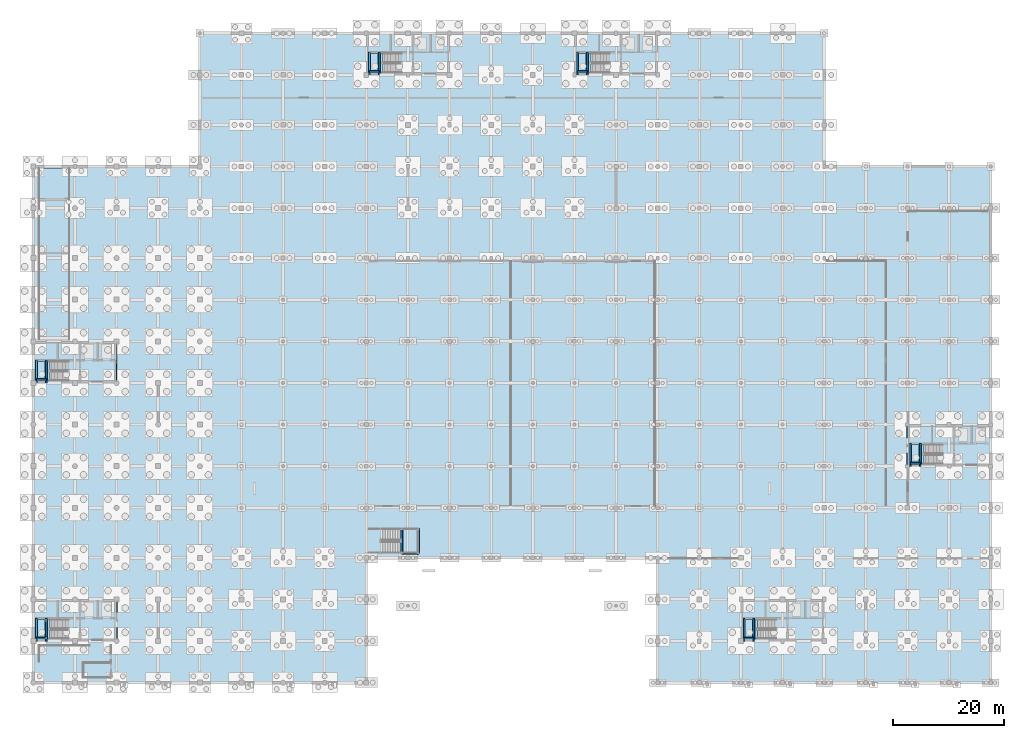
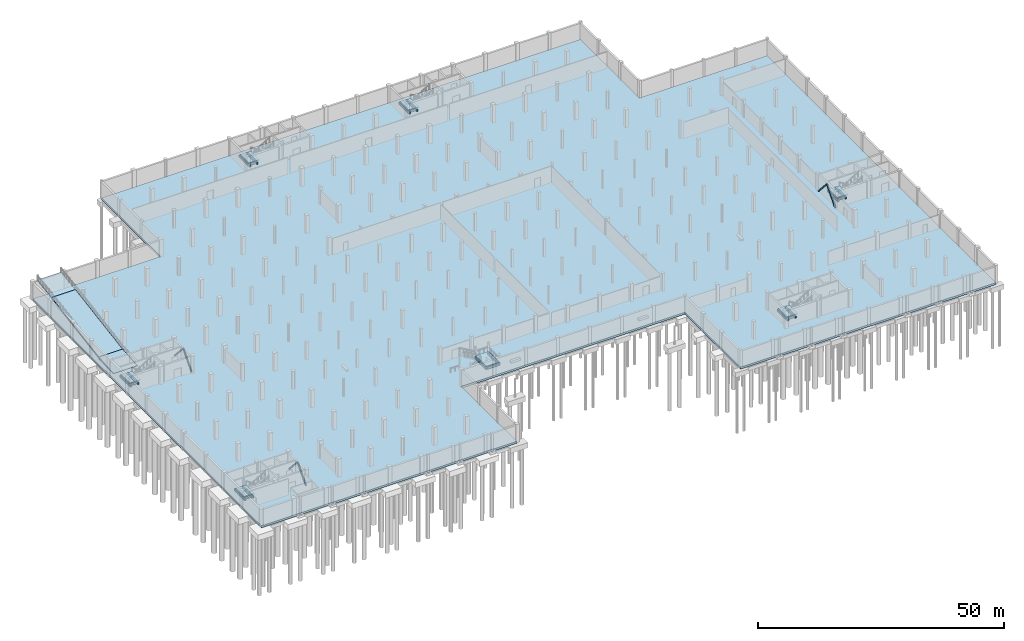
# One storey, part 22 of 42: 21 beams, 11 slabs, 6 members, 7 elements without a shape of their own.
"""IFC4 building model written with IfcOpenShell, lengths in metres."""

import ifcopenshell
import ifcopenshell.guid

model = None  # the IFC model being written
_history = None  # IfcOwnerHistory: only IFC2X3 demands one
_inside = {}  # id of a spatial element -> (the spatial element, [elements in it])
_under = {}  # id of a project, library or spatial element -> (it, [spatial elements below it])
_declared = {}  # id of a project -> (the project, [libraries it declares])
_typed = {}  # id of a type object -> (the type object, [elements of that type])
_made_of = {}  # id of a material, layer set ... -> (it, [elements and type objects made of it])


def new_model(schema):
    """Start an empty IFC model of exactly this schema.

    Asked for "IFC4X3", IfcOpenShell would pick the latest addendum, in which some entities
    have other attributes; the version numbers below select the first issue.
    IFC2X3 requires an IfcOwnerHistory on every rooted entity: one is made here for all.
    """
    global model, _history
    if schema == "IFC4X3":
        model = ifcopenshell.file(schema_version=(4, 3, 0, 0))
    else:
        model = ifcopenshell.file(schema=schema)
    _inside.clear()
    _under.clear()
    _declared.clear()
    _typed.clear()
    _made_of.clear()
    _history = None
    if model.schema == "IFC2X3":
        org = make("IfcOrganization", Name="unknown")
        user = make(
            "IfcPersonAndOrganization",
            ThePerson=make("IfcPerson", FamilyName="unknown"),
            TheOrganization=org,
        )
        app = make(
            "IfcApplication",
            ApplicationDeveloper=org,
            Version="unknown",
            ApplicationFullName="unknown",
            ApplicationIdentifier="unknown",
        )
        _history = make(
            "IfcOwnerHistory",
            OwningUser=user,
            OwningApplication=app,
            ChangeAction="ADDED",
            CreationDate=0,
        )
    return model


def make(cls, **values):
    """One entity of the class cls with the attributes given. An attribute that is None is left unset."""
    return model.create_entity(
        cls, **{name: value for name, value in values.items() if value is not None}
    )


def rooted(cls, **values):
    """An entity with a GlobalId (a new one), such as an element, a storey or a relation."""
    return make(cls, GlobalId=ifcopenshell.guid.new(), OwnerHistory=_history, **values)


def si_unit(unit_type, name, prefix=None):
    """IfcSIUnit, for example si_unit("LENGTHUNIT", "METRE", prefix="MILLI")."""
    return make("IfcSIUnit", UnitType=unit_type, Prefix=prefix, Name=name)


def assignment(units):
    """IfcUnitAssignment: the units of a project."""
    return None if units is None else make("IfcUnitAssignment", Units=units)


def point(xyz):
    """IfcCartesianPoint."""
    return None if xyz is None else make("IfcCartesianPoint", Coordinates=xyz)


def direction(xyz):
    """IfcDirection."""
    return None if xyz is None else make("IfcDirection", DirectionRatios=xyz)


def frame(location, z_axis=None, x_axis=None):
    """IfcAxis2Placement3D, a coordinate frame: its origin and axes. An axis left out is left unset."""
    return make(
        "IfcAxis2Placement3D",
        Location=point(location),
        Axis=direction(z_axis),
        RefDirection=direction(x_axis),
    )


def frame_2d(location, x_axis=None):
    """IfcAxis2Placement2D, a coordinate frame in the plane: its origin and x axis."""
    return make(
        "IfcAxis2Placement2D", Location=point(location), RefDirection=direction(x_axis)
    )


def origin():
    """The frame at (0, 0, 0) with its axes left unset."""
    return frame((0.0, 0.0, 0.0))


def origin_2d():
    """The frame at (0, 0) in the plane with its x axis left unset."""
    return frame_2d((0.0, 0.0))


def place(relative_to, where):
    """IfcLocalPlacement: puts the frame where relative to a parent placement (None: the world)."""
    return make(
        "IfcLocalPlacement", PlacementRelTo=relative_to, RelativePlacement=where
    )


def context(
    kind, dimensions, precision=None, world=None, true_north=None, identifier=None
):
    """IfcGeometricRepresentationContext, for example the 3D "Model" context."""
    return make(
        "IfcGeometricRepresentationContext",
        ContextIdentifier=identifier,
        ContextType=kind,
        CoordinateSpaceDimension=dimensions,
        Precision=precision,
        WorldCoordinateSystem=world,
        TrueNorth=true_north,
    )


def subcontext(parent, identifier, kind, view, scale=None):
    """IfcGeometricRepresentationSubContext, for example "Body" below "Model"."""
    return make(
        "IfcGeometricRepresentationSubContext",
        ContextIdentifier=identifier,
        ContextType=kind,
        ParentContext=parent,
        TargetScale=scale,
        TargetView=view,
    )


def project(units=None, contexts=None):
    """IfcProject with its units and contexts."""
    return rooted(
        "IfcProject",
        Name="project",
        RepresentationContexts=contexts,
        UnitsInContext=assignment(units),
    )


def spatial(cls, under=None, at=None, **own):
    """A site, building, storey or space (cls), placed at a placement, below another one or the project."""
    s = rooted(cls, ObjectPlacement=at, **own)
    if under is not None:
        _under.setdefault(under.id(), (under, []))[1].append(s)
    return s


def polyline(points):
    """IfcPolyline through the points."""
    return make("IfcPolyline", Points=[point(p) for p in points])


def profile(cls, at=None, kind="AREA", **sizes):
    """A parametric profile (cls). Its sizes go by their IFC names, for example OverallWidth=200.0."""
    return make(cls, ProfileType=kind, Position=at, **sizes)


def rectangle(**sizes):
    """IfcRectangleProfileDef."""
    return profile("IfcRectangleProfileDef", **sizes)


def hollow_rectangle(**sizes):
    """IfcRectangleHollowProfileDef."""
    return profile("IfcRectangleHollowProfileDef", **sizes)


def hollow_circle(**sizes):
    """IfcCircleHollowProfileDef."""
    return profile("IfcCircleHollowProfileDef", **sizes)


def outline(outer, holes=None, kind="AREA"):
    """IfcArbitraryClosedProfileDef: a profile drawn as a closed curve; with holes, ...WithVoids."""
    if holes is None:
        return make("IfcArbitraryClosedProfileDef", ProfileType=kind, OuterCurve=outer)
    return make(
        "IfcArbitraryProfileDefWithVoids",
        ProfileType=kind,
        OuterCurve=outer,
        InnerCurves=holes,
    )


def extrude(swept, where, along, depth):
    """IfcExtrudedAreaSolid: the profile swept, set in the frame where, extruded along a direction by depth."""
    return make(
        "IfcExtrudedAreaSolid",
        SweptArea=swept,
        Position=where,
        ExtrudedDirection=direction(along),
        Depth=depth,
    )


def shape(context_of_items, identifier, shape_type, items):
    """IfcShapeRepresentation: the items that make up one representation, for example the "Body"."""
    return make(
        "IfcShapeRepresentation",
        ContextOfItems=context_of_items,
        RepresentationIdentifier=identifier,
        RepresentationType=shape_type,
        Items=items,
    )


def material(Name=None, Category=None):
    """IfcMaterial."""
    return make("IfcMaterial", Name=Name, Category=Category)


def layer(
    of_material, thickness, ventilated=None, Name=None, Category=None, Priority=None
):
    """IfcMaterialLayer: one layer of a wall or slab, of a material (None: an air gap)."""
    return make(
        "IfcMaterialLayer",
        Material=of_material,
        LayerThickness=thickness,
        IsVentilated=ventilated,
        Name=Name,
        Category=Category,
        Priority=Priority,
    )


def layer_set(layers, Name=None):
    """IfcMaterialLayerSet."""
    return make("IfcMaterialLayerSet", MaterialLayers=layers, LayerSetName=Name)


def material_profile(
    of_material, cross_section, Name=None, Category=None, Priority=None
):
    """IfcMaterialProfile: a cross section and its material."""
    return make(
        "IfcMaterialProfile",
        Name=Name,
        Material=of_material,
        Profile=cross_section,
        Priority=Priority,
        Category=Category,
    )


def profile_set(profiles, Name=None, composite=None):
    """IfcMaterialProfileSet."""
    return make(
        "IfcMaterialProfileSet",
        Name=Name,
        MaterialProfiles=profiles,
        CompositeProfile=composite,
    )


def made_of(thing, what):
    """Note that an element or type object is made of a material, layer set ...; save() writes the relation."""
    if what is not None:
        _made_of.setdefault(what.id(), (what, []))[1].append(thing)
    return thing


def type_object(cls, material=None, **own):
    """A type object (cls), such as IfcWallType, which elements share."""
    return made_of(rooted(cls, **own), material)


def element(
    cls,
    number,
    at=None,
    inside=None,
    cuts=None,
    type_object=None,
    material=None,
    context=None,
    identifier="Body",
    shape_type=None,
    held_by="IfcProductDefinitionShape",
    body=None,
    shapes=None,
    **own,
):
    """One element of the class cls, such as IfcWall. Its Tag is "e" and its number.

    at: its placement. inside: the storey or other place that contains it. cuts: it is an
    opening in that element (IfcRelVoidsElement). A single representation is given by context,
    identifier, shape_type and body (its items); several are given by shapes. held_by: the class
    of the entity that holds the representations. save() writes the other relations.
    """
    e = rooted(cls, Tag="e%d" % number, ObjectPlacement=at, **own)
    if body is not None:
        shapes = [shape(context, identifier, shape_type, body)]
    if shapes is not None:
        e.Representation = make(held_by, Representations=shapes)
    if inside is not None:
        _inside.setdefault(inside.id(), (inside, []))[1].append(e)
    if cuts is not None:
        rooted(
            "IfcRelVoidsElement", RelatingBuildingElement=cuts, RelatedOpeningElement=e
        )
    if type_object is not None:
        _typed.setdefault(type_object.id(), (type_object, []))[1].append(e)
    return made_of(e, material)


def aggregate(whole, parts):
    """IfcRelAggregates: a whole, such as a stair, and the parts it consists of."""
    return rooted("IfcRelAggregates", RelatingObject=whole, RelatedObjects=parts)


def save(model, path):
    """Write the relations noted so far, then the file.

    IfcRelAggregates (storeys below a building ...), IfcRelContainedInSpatialStructure (elements
    in a storey), IfcRelDefinesByType, IfcRelAssociatesMaterial and IfcRelDeclares: one each for
    every whole, place, type object, material and project.
    """
    for whole, parts in _under.values():
        aggregate(whole, parts)
    for where, things in _inside.values():
        rooted(
            "IfcRelContainedInSpatialStructure",
            RelatedElements=things,
            RelatingStructure=where,
        )
    for kind, things in _typed.values():
        rooted("IfcRelDefinesByType", RelatedObjects=things, RelatingType=kind)
    for what, things in _made_of.values():
        rooted("IfcRelAssociatesMaterial", RelatedObjects=things, RelatingMaterial=what)
    for by, libraries in _declared.values():
        rooted("IfcRelDeclares", RelatingContext=by, RelatedDefinitions=libraries)
    model.write(path)


model = new_model("IFC4")

# Units and contexts
model_context = context("Model", 3, precision=1e-05, world=origin(), true_north=direction((0.0, 1.0)))
body_context = subcontext(model_context, "Body", "Model", "MODEL_VIEW")
ifc_project = project(units=[si_unit("LENGTHUNIT", "METRE"), si_unit("AREAUNIT", "SQUARE_METRE"), si_unit("VOLUMEUNIT", "CUBIC_METRE"), si_unit("PLANEANGLEUNIT", "RADIAN"), si_unit("MASSUNIT", "GRAM", prefix="KILO")], contexts=[model_context])

# Site, building, storey
site_placement = place(None, origin())
site = spatial("IfcSite", under=ifc_project, at=site_placement, CompositionType="ELEMENT")
building_placement = place(site_placement, origin())
building = spatial("IfcBuilding", under=site, at=building_placement, Name="Dalvernix Boulevard General Hospital", CompositionType="ELEMENT")
storey_placement = place(building_placement, frame((0.0, 0.0, -4.5)))
storey = spatial("IfcBuildingStorey", under=building, at=storey_placement, Name="B1", CompositionType="ELEMENT", Elevation=-4.5)

# Beams
ifc_material_1 = material(Name="Concrete C35/45", Category="concrete")
ifc_material_profile_1 = material_profile(ifc_material_1, rectangle(XDim=0.35009765625, YDim=0.5, at=origin_2d()), Name="RCB 350x500")
ifc_profile_set_1 = profile_set([ifc_material_profile_1], Name="Concrete C35/45")
beam_type = type_object("IfcBeamType", Name="BM-B-08", PredefinedType="BEAM", material=ifc_profile_set_1)
for number, where, z_axis, x_axis, name in (
    (1, (69.35009765625, 23.35009765625, 1.800048828125), (0.0, 1.0, 0.0), (-1.0, 0.0, 0.0), "B1 ST-07 half-landing support beam FAR"),
    (2, (66.35009765625, 23.35009765625, 1.800048828125), (0.0, 1.0, 0.0), (-1.0, 0.0, 0.0), "B1 ST-07 half-landing support beam INNER"),
):
    element("IfcBeam", number, at=place(storey_placement, frame(where, z_axis=z_axis, x_axis=x_axis)), inside=storey, type_object=beam_type, Name=name, PredefinedType="BEAM", context=body_context, shape_type="SweptSolid", body=[
        extrude(rectangle(XDim=0.35009765625, YDim=0.5, at=origin_2d()), origin(), (0.0, 0.0, 1.0), 4.39990234375),
    ])
beam_1_placement = place(storey_placement, frame((66.35009765625, 23.35009765625, 1.800048828125), z_axis=(1.0, 0.0, 0.0), x_axis=(0.0, 1.0, 0.0)))
element("IfcBeam", 3, at=beam_1_placement, inside=storey, type_object=beam_type, Name="B1 ST-07 half-landing south edge beam", PredefinedType="BEAM", context=body_context, shape_type="SweptSolid", body=[
    extrude(rectangle(XDim=0.35009765625, YDim=0.5, at=origin_2d()), origin(), (0.0, 0.0, 1.0), 3.0),
])
for number, where, z_axis, x_axis, name in (
    (4, (0.550048828125, 7.5, 1.800048828125), (0.0, 1.0, 0.0), (-1.0, 0.0, 0.0), "B1 C1 stair half-landing beam 1"),
    (5, (2.300048828125, 7.5, 1.800048828125), (0.0, 1.0, 0.0), (-1.0, 0.0, 0.0), "B1 C1 stair half-landing beam 2"),
):
    element("IfcBeam", number, at=place(storey_placement, frame(where, z_axis=z_axis, x_axis=x_axis)), inside=storey, type_object=beam_type, Name=name, PredefinedType="BEAM", context=body_context, shape_type="SweptSolid", body=[
        extrude(rectangle(XDim=0.35009765625, YDim=0.5, at=origin_2d()), origin(), (0.0, 0.0, 1.0), 4.10009765625),
    ])
beam_2_placement = place(storey_placement, frame((0.550048828125, 8.050048828125, 1.800048828125), z_axis=(1.0, 0.0, 0.0), x_axis=(0.0, 1.0, 0.0)))
element("IfcBeam", 6, at=beam_2_placement, inside=storey, type_object=beam_type, Name="B1 C1 stair half-landing tie beam", PredefinedType="BEAM", context=body_context, shape_type="SweptSolid", body=[
    extrude(rectangle(XDim=0.35009765625, YDim=0.5, at=origin_2d()), origin(), (0.0, 0.0, 1.0), 1.75),
])
for number, where, z_axis, x_axis, name in (
    (7, (0.550048828125, 54.0, 1.800048828125), (0.0, 1.0, 0.0), (-1.0, 0.0, 0.0), "B1 C2 stair half-landing beam 1"),
    (8, (2.300048828125, 54.0, 1.800048828125), (0.0, 1.0, 0.0), (-1.0, 0.0, 0.0), "B1 C2 stair half-landing beam 2"),
):
    element("IfcBeam", number, at=place(storey_placement, frame(where, z_axis=z_axis, x_axis=x_axis)), inside=storey, type_object=beam_type, Name=name, PredefinedType="BEAM", context=body_context, shape_type="SweptSolid", body=[
        extrude(rectangle(XDim=0.35009765625, YDim=0.5, at=origin_2d()), origin(), (0.0, 0.0, 1.0), 4.10009765625),
    ])
beam_3_placement = place(storey_placement, frame((0.550048828125, 54.550048828125, 1.800048828125), z_axis=(1.0, 0.0, 0.0), x_axis=(0.0, 1.0, 0.0)))
element("IfcBeam", 9, at=beam_3_placement, inside=storey, type_object=beam_type, Name="B1 C2 stair half-landing tie beam", PredefinedType="BEAM", context=body_context, shape_type="SweptSolid", body=[
    extrude(rectangle(XDim=0.35009765625, YDim=0.5, at=origin_2d()), origin(), (0.0, 0.0, 1.0), 1.75),
])
for number, where, z_axis, x_axis, name in (
    (10, (60.550048828125, 109.5, 1.800048828125), (0.0, 1.0, 0.0), (-1.0, 0.0, 0.0), "B1 C3 stair half-landing beam 1"),
    (11, (62.300048828125, 109.5, 1.800048828125), (0.0, 1.0, 0.0), (-1.0, 0.0, 0.0), "B1 C3 stair half-landing beam 2"),
):
    element("IfcBeam", number, at=place(storey_placement, frame(where, z_axis=z_axis, x_axis=x_axis)), inside=storey, type_object=beam_type, Name=name, PredefinedType="BEAM", context=body_context, shape_type="SweptSolid", body=[
        extrude(rectangle(XDim=0.35009765625, YDim=0.5, at=origin_2d()), origin(), (0.0, 0.0, 1.0), 4.10009765625),
    ])
beam_4_placement = place(storey_placement, frame((60.550048828125, 110.050048828125, 1.800048828125), z_axis=(1.0, 0.0, 0.0), x_axis=(0.0, 1.0, 0.0)))
element("IfcBeam", 12, at=beam_4_placement, inside=storey, type_object=beam_type, Name="B1 C3 stair half-landing tie beam", PredefinedType="BEAM", context=body_context, shape_type="SweptSolid", body=[
    extrude(rectangle(XDim=0.35009765625, YDim=0.5, at=origin_2d()), origin(), (0.0, 0.0, 1.0), 1.75),
])
for number, where, z_axis, x_axis, name in (
    (13, (98.050048828125, 109.5, 1.800048828125), (0.0, 1.0, 0.0), (-1.0, 0.0, 0.0), "B1 C4 stair half-landing beam 1"),
    (14, (99.800048828125, 109.5, 1.800048828125), (0.0, 1.0, 0.0), (-1.0, 0.0, 0.0), "B1 C4 stair half-landing beam 2"),
):
    element("IfcBeam", number, at=place(storey_placement, frame(where, z_axis=z_axis, x_axis=x_axis)), inside=storey, type_object=beam_type, Name=name, PredefinedType="BEAM", context=body_context, shape_type="SweptSolid", body=[
        extrude(rectangle(XDim=0.35009765625, YDim=0.5, at=origin_2d()), origin(), (0.0, 0.0, 1.0), 4.10009765625),
    ])
beam_5_placement = place(storey_placement, frame((98.050048828125, 110.050048828125, 1.800048828125), z_axis=(1.0, 0.0, 0.0), x_axis=(0.0, 1.0, 0.0)))
element("IfcBeam", 15, at=beam_5_placement, inside=storey, type_object=beam_type, Name="B1 C4 stair half-landing tie beam", PredefinedType="BEAM", context=body_context, shape_type="SweptSolid", body=[
    extrude(rectangle(XDim=0.35009765625, YDim=0.5, at=origin_2d()), origin(), (0.0, 0.0, 1.0), 1.75),
])
for number, where, z_axis, x_axis, name in (
    (16, (128.050048828125, 7.5, 1.800048828125), (0.0, 1.0, 0.0), (-1.0, 0.0, 0.0), "B1 C5 stair half-landing beam 1"),
    (17, (129.800048828125, 7.5, 1.800048828125), (0.0, 1.0, 0.0), (-1.0, 0.0, 0.0), "B1 C5 stair half-landing beam 2"),
):
    element("IfcBeam", number, at=place(storey_placement, frame(where, z_axis=z_axis, x_axis=x_axis)), inside=storey, type_object=beam_type, Name=name, PredefinedType="BEAM", context=body_context, shape_type="SweptSolid", body=[
        extrude(rectangle(XDim=0.35009765625, YDim=0.5, at=origin_2d()), origin(), (0.0, 0.0, 1.0), 4.10009765625),
    ])
beam_6_placement = place(storey_placement, frame((128.050048828125, 8.050048828125, 1.800048828125), z_axis=(1.0, 0.0, 0.0), x_axis=(0.0, 1.0, 0.0)))
element("IfcBeam", 18, at=beam_6_placement, inside=storey, type_object=beam_type, Name="B1 C5 stair half-landing tie beam", PredefinedType="BEAM", context=body_context, shape_type="SweptSolid", body=[
    extrude(rectangle(XDim=0.35009765625, YDim=0.5, at=origin_2d()), origin(), (0.0, 0.0, 1.0), 1.75),
])
for number, where, z_axis, x_axis, name in (
    (19, (158.050048828125, 39.0, 1.800048828125), (0.0, 1.0, 0.0), (-1.0, 0.0, 0.0), "B1 C6 stair half-landing beam 1"),
    (20, (159.800048828125, 39.0, 1.800048828125), (0.0, 1.0, 0.0), (-1.0, 0.0, 0.0), "B1 C6 stair half-landing beam 2"),
):
    element("IfcBeam", number, at=place(storey_placement, frame(where, z_axis=z_axis, x_axis=x_axis)), inside=storey, type_object=beam_type, Name=name, PredefinedType="BEAM", context=body_context, shape_type="SweptSolid", body=[
        extrude(rectangle(XDim=0.35009765625, YDim=0.5, at=origin_2d()), origin(), (0.0, 0.0, 1.0), 4.10009765625),
    ])
beam_7_placement = place(storey_placement, frame((158.050048828125, 39.550048828125, 1.800048828125), z_axis=(1.0, 0.0, 0.0), x_axis=(0.0, 1.0, 0.0)))
element("IfcBeam", 21, at=beam_7_placement, inside=storey, type_object=beam_type, Name="B1 C6 stair half-landing tie beam", PredefinedType="BEAM", context=body_context, shape_type="SweptSolid", body=[
    extrude(rectangle(XDim=0.35009765625, YDim=0.5, at=origin_2d()), origin(), (0.0, 0.0, 1.0), 1.75),
])

# Members
ifc_material_2 = material(Name="Steel S355", Category="steel")
ifc_material_profile_2 = material_profile(ifc_material_2, hollow_circle(Radius=0.136474609375, WallThickness=0.010009765625, at=origin_2d()), Name="CHS 273.0x10.0")
ifc_profile_set_2 = profile_set([ifc_material_profile_2], Name="Steel S355")
member_type_1 = type_object("IfcMemberType", Name="MEM-BR-01", PredefinedType="BRACE", material=ifc_profile_set_2)
for number, where, z_axis, x_axis, name in (
    (22, (15.0, 7.85009765625, 0.0), (0.0, 0.667755818571, 0.744380391174), (-1.0, 0.0, 0.0), "B1 braced frame chevron 1A"),
    (23, (15.0, 14.64990234375, 0.0), (0.0, -0.667755818571, 0.744380391174), (1.0, 0.0, 0.0), "B1 braced frame chevron 1B"),
):
    element("IfcMember", number, at=place(storey_placement, frame(where, z_axis=z_axis, x_axis=x_axis)), inside=storey, type_object=member_type_1, Name=name, PredefinedType="BRACE", context=body_context, shape_type="SweptSolid", body=[
        extrude(hollow_circle(Radius=0.136474609375, WallThickness=0.010009765625, at=origin_2d()), origin(), (0.0, 0.0, 1.0), 5.091552734375),
    ])
ifc_material_profile_3 = material_profile(ifc_material_2, hollow_rectangle(XDim=0.199951171875, YDim=0.199951171875, WallThickness=0.010009765625, at=origin_2d()), Name="SHS 200x200x10.0")
ifc_profile_set_3 = profile_set([ifc_material_profile_3], Name="Steel S355")
member_type_2 = type_object("IfcMemberType", Name="MEM-BR-02", PredefinedType="BRACE", material=ifc_profile_set_3)
for number, where, z_axis, x_axis, name in (
    (24, (15.0, 54.35009765625, 0.0), (0.0, 0.667755818571, 0.744380391174), (-1.0, 0.0, 0.0), "B1 braced frame chevron 2A"),
    (25, (15.0, 61.14990234375, 0.0), (0.0, -0.667755818571, 0.744380391174), (1.0, 0.0, 0.0), "B1 braced frame chevron 2B"),
):
    element("IfcMember", number, at=place(storey_placement, frame(where, z_axis=z_axis, x_axis=x_axis)), inside=storey, type_object=member_type_2, Name=name, PredefinedType="BRACE", context=body_context, shape_type="SweptSolid", body=[
        extrude(hollow_rectangle(XDim=0.199951171875, YDim=0.199951171875, WallThickness=0.010009765625, at=origin_2d()), origin(), (0.0, 0.0, 1.0), 5.091552734375),
    ])
ifc_material_profile_4 = material_profile(ifc_material_2, hollow_rectangle(XDim=0.25, YDim=0.25, WallThickness=0.012451171875, at=origin_2d()), Name="SHS 250x250x12.5")
ifc_profile_set_4 = profile_set([ifc_material_profile_4], Name="Steel S355")
member_type_3 = type_object("IfcMemberType", Name="MEM-BR-03", PredefinedType="BRACE", material=ifc_profile_set_4)
for number, where, z_axis, x_axis, name in (
    (26, (157.5, 39.35009765625, 0.0), (0.0, 0.667755818571, 0.744380391174), (-1.0, 0.0, 0.0), "B1 braced frame chevron 3A"),
    (27, (157.5, 46.14990234375, 0.0), (0.0, -0.667755818571, 0.744380391174), (1.0, 0.0, 0.0), "B1 braced frame chevron 3B"),
):
    element("IfcMember", number, at=place(storey_placement, frame(where, z_axis=z_axis, x_axis=x_axis)), inside=storey, type_object=member_type_3, Name=name, PredefinedType="BRACE", context=body_context, shape_type="SweptSolid", body=[
        extrude(hollow_rectangle(XDim=0.25, YDim=0.25, WallThickness=0.012451171875, at=origin_2d()), origin(), (0.0, 0.0, 1.0), 5.091552734375),
    ])

# Slabs
ifc_layer_1 = layer(ifc_material_1, 0.5)
ifc_layer_set_1 = layer_set([ifc_layer_1], Name="Concrete C35/45 (SLB-BS-01)")
slab_type_1 = type_object("IfcSlabType", Name="SLB-BS-01", PredefinedType="BASESLAB", material=ifc_layer_set_1)
slab_1_placement = place(storey_placement, frame((0.0, 0.0, -0.5)))
element("IfcSlab", 28, at=slab_1_placement, inside=storey, type_object=slab_type_1, Name="B1 ALL structural floor slab 1", PredefinedType="BASESLAB", context=body_context, shape_type="SweptSolid", body=[
    extrude(outline(polyline([(0.0, 15.0), (0.0, 22.5), (0.0, 31.5), (0.0, 39.0), (0.0, 46.5), (0.0, 54.0), (0.0, 61.5), (0.0, 69.0), (0.0, 76.5), (0.0, 85.5), (0.0, 93.0), (7.5, 93.0), (15.0, 93.0), (22.5, 93.0), (30.0, 93.0), (30.0, 100.5), (30.0, 109.5), (30.0, 117.0), (37.5, 117.0), (45.0, 117.0), (52.5, 117.0), (60.0, 117.0), (67.5, 117.0), (75.0, 117.0), (82.5, 117.0), (90.0, 117.0), (97.5, 117.0), (105.0, 117.0), (112.5, 117.0), (120.0, 117.0), (127.5, 117.0), (135.0, 117.0), (142.5, 117.0), (142.5, 109.5), (142.5, 100.5), (142.5, 93.0), (150.0, 93.0), (157.5, 93.0), (165.0, 93.0), (172.5, 93.0), (172.5, 85.5), (172.5, 76.5), (172.5, 69.0), (172.5, 61.5), (172.5, 54.0), (172.5, 46.5), (172.5, 39.0), (172.5, 31.5), (172.5, 22.5), (172.5, 15.0), (172.5, 7.5), (172.5, 0.0), (165.0, 0.0), (157.5, 0.0), (150.0, 0.0), (142.5, 0.0), (135.0, 0.0), (127.5, 0.0), (120.0, 0.0), (112.5, 0.0), (112.5, 7.5), (112.5, 15.0), (112.5, 22.5), (105.0, 22.5), (97.5, 22.5), (90.0, 22.5), (82.5, 22.5), (75.0, 22.5), (67.5, 22.5), (60.0, 22.5), (60.0, 15.0), (60.0, 7.5), (60.0, 0.0), (52.5, 0.0), (45.0, 0.0), (37.5, 0.0), (30.0, 0.0), (22.5, 0.0), (15.0, 0.0), (7.5, 0.0), (0.0, 0.0), (0.0, 7.5), (0.0, 15.0)]), holes=[polyline([(6.56005859375, 67.820068359375), (0.93994140625, 67.820068359375), (0.93994140625, 61.7900390625), (6.56005859375, 61.7900390625), (6.56005859375, 67.820068359375)])]), origin(), (0.0, 0.0, 1.0), 0.5),
])
ifc_layer_2 = layer(ifc_material_1, 0.300048828125)
ifc_layer_set_2 = layer_set([ifc_layer_2], Name="Concrete C35/45 (SLB-FS-06)")
slab_type_2 = type_object("IfcSlabType", Name="SLB-FS-06", PredefinedType="FLOOR", material=ifc_layer_set_2)
slab_2_placement = place(storey_placement, frame((0.949951171875, 61.800048828125, 0.0), z_axis=(0.0, -0.083045479854, 0.996545758245), x_axis=(1.0, 0.0, 0.0)))
element("IfcSlab", 29, at=slab_2_placement, inside=storey, type_object=slab_type_2, Name="Vehicle ramp VR-01 structural concrete slab F1", PredefinedType="FLOOR", context=body_context, shape_type="SweptSolid", body=[
    extrude(outline(polyline([(0.0, 0.0), (5.60009765625, 0.0), (5.60009765625, 6.020797289396148), (0.0, 6.020797289396148), (0.0, 0.0)])), origin(), (0.0, 0.0, -1.0), 0.300048828125),
])
slab_3_placement = place(storey_placement, frame((0.949951171875, 67.800048828125, 0.5), z_axis=(0.0, -0.161893615658, 0.986808217036), x_axis=(1.0, 0.0, 0.0)))
element("IfcSlab", 30, at=slab_3_placement, inside=storey, type_object=slab_type_2, Name="Vehicle ramp VR-01 structural concrete slab F2", PredefinedType="FLOOR", context=body_context, shape_type="SweptSolid", body=[
    extrude(outline(polyline([(0.0, 0.0), (5.60009765625, 0.0), (5.60009765625, 19.456618662489788), (0.0, 19.456618662489788), (0.0, 0.0)])), origin(), (0.0, 0.0, -1.0), 0.300048828125),
])
slab_4_placement = place(storey_placement, frame((0.949951171875, 87.0, 3.64990234375), z_axis=(0.0, -0.147763541679, 0.98902271751), x_axis=(1.0, 0.0, 0.0)))
element("IfcSlab", 31, at=slab_4_placement, inside=storey, type_object=slab_type_2, Name="Vehicle ramp VR-01 structural concrete slab F3", PredefinedType="FLOOR", context=body_context, shape_type="SweptSolid", body=[
    extrude(outline(polyline([(0.0, 0.0), (5.60009765625, 0.0), (5.60009765625, 5.7530947525414495), (0.0, 5.7530947525414495), (0.0, 0.0)])), origin(), (0.0, 0.0, -1.0), 0.300048828125),
])

# Stair, slab
ifc_material_3 = material(Name="Precast concrete C40/50", Category="concrete")
stair_type_1 = type_object("IfcStairType", Name="IFCSTAIR-STC-165x450", PredefinedType="HALF_TURN_STAIR", material=ifc_material_3)
stair_1_placement = place(storey_placement, origin())
stair_1 = element("IfcStair", 32, at=stair_1_placement, inside=storey, type_object=stair_type_1, Name="B1 Core C1 Exit Stair ST-01", PredefinedType="HALF_TURN_STAIR")
ifc_layer_3 = layer(ifc_material_3, 0.199951171875)
ifc_layer_set_3 = layer_set([ifc_layer_3], Name="Precast concrete C40/50 (SLB-LND-01)")
slab_type_3 = type_object("IfcSlabType", Name="SLB-LND-01", PredefinedType="LANDING", material=ifc_layer_set_3)
slab_5_placement = place(storey_placement, frame((0.0, 0.0, 2.050048828125)))
slab_5 = element("IfcSlab", 33, at=slab_5_placement, type_object=slab_type_3, Name="ST-01 landing 1", PredefinedType="LANDING", context=body_context, shape_type="SweptSolid", body=[
    extrude(outline(polyline([(2.989990234375, 11.39990234375), (0.39990234375, 11.39990234375), (0.39990234375, 7.89990234375), (2.989990234375, 7.89990234375), (2.989990234375, 11.39990234375)])), origin(), (0.0, 0.0, 1.0), 0.199951171875),
])
aggregate(stair_1, [slab_5])

stair_2_placement = place(storey_placement, origin())
stair_2 = element("IfcStair", 34, at=stair_2_placement, inside=storey, type_object=stair_type_1, Name="B1 Core C2 Exit Stair ST-02", PredefinedType="HALF_TURN_STAIR")
slab_6_placement = place(storey_placement, frame((0.0, 0.0, 2.050048828125)))
slab_6 = element("IfcSlab", 35, at=slab_6_placement, type_object=slab_type_3, Name="ST-02 landing 1", PredefinedType="LANDING", context=body_context, shape_type="SweptSolid", body=[
    extrude(outline(polyline([(2.989990234375, 57.89990234375), (0.39990234375, 57.89990234375), (0.39990234375, 54.39990234375), (2.989990234375, 54.39990234375), (2.989990234375, 57.89990234375)])), origin(), (0.0, 0.0, 1.0), 0.199951171875),
])
aggregate(stair_2, [slab_6])

stair_3_placement = place(storey_placement, origin())
stair_3 = element("IfcStair", 36, at=stair_3_placement, inside=storey, type_object=stair_type_1, Name="B1 Core C3 Exit Stair ST-03", PredefinedType="HALF_TURN_STAIR")
slab_7_placement = place(storey_placement, frame((0.0, 0.0, 2.050048828125)))
slab_7 = element("IfcSlab", 37, at=slab_7_placement, type_object=slab_type_3, Name="ST-03 landing 1", PredefinedType="LANDING", context=body_context, shape_type="SweptSolid", body=[
    extrude(outline(polyline([(62.989990234375, 113.39990234375), (60.39990234375, 113.39990234375), (60.39990234375, 109.89990234375), (62.989990234375, 109.89990234375), (62.989990234375, 113.39990234375)])), origin(), (0.0, 0.0, 1.0), 0.199951171875),
])
aggregate(stair_3, [slab_7])

stair_4_placement = place(storey_placement, origin())
stair_4 = element("IfcStair", 38, at=stair_4_placement, inside=storey, type_object=stair_type_1, Name="B1 Core C4 Exit Stair ST-04", PredefinedType="HALF_TURN_STAIR")
slab_8_placement = place(storey_placement, frame((0.0, 0.0, 2.050048828125)))
slab_8 = element("IfcSlab", 39, at=slab_8_placement, type_object=slab_type_3, Name="ST-04 landing 1", PredefinedType="LANDING", context=body_context, shape_type="SweptSolid", body=[
    extrude(outline(polyline([(100.489990234375, 113.39990234375), (97.89990234375, 113.39990234375), (97.89990234375, 109.89990234375), (100.489990234375, 109.89990234375), (100.489990234375, 113.39990234375)])), origin(), (0.0, 0.0, 1.0), 0.199951171875),
])
aggregate(stair_4, [slab_8])

stair_5_placement = place(storey_placement, origin())
stair_5 = element("IfcStair", 40, at=stair_5_placement, inside=storey, type_object=stair_type_1, Name="B1 Core C5 Exit Stair ST-05", PredefinedType="HALF_TURN_STAIR")
slab_9_placement = place(storey_placement, frame((0.0, 0.0, 2.050048828125)))
slab_9 = element("IfcSlab", 41, at=slab_9_placement, type_object=slab_type_3, Name="ST-05 landing 1", PredefinedType="LANDING", context=body_context, shape_type="SweptSolid", body=[
    extrude(outline(polyline([(130.489990234375, 11.39990234375), (127.89990234375, 11.39990234375), (127.89990234375, 7.89990234375), (130.489990234375, 7.89990234375), (130.489990234375, 11.39990234375)])), origin(), (0.0, 0.0, 1.0), 0.199951171875),
])
aggregate(stair_5, [slab_9])

stair_6_placement = place(storey_placement, origin())
stair_6 = element("IfcStair", 42, at=stair_6_placement, inside=storey, type_object=stair_type_1, Name="B1 Core C6 Exit Stair ST-06", PredefinedType="HALF_TURN_STAIR")
slab_10_placement = place(storey_placement, frame((0.0, 0.0, 2.050048828125)))
slab_10 = element("IfcSlab", 43, at=slab_10_placement, type_object=slab_type_3, Name="ST-06 landing 1", PredefinedType="LANDING", context=body_context, shape_type="SweptSolid", body=[
    extrude(outline(polyline([(160.489990234375, 42.89990234375), (157.89990234375, 42.89990234375), (157.89990234375, 39.39990234375), (160.489990234375, 39.39990234375), (160.489990234375, 42.89990234375)])), origin(), (0.0, 0.0, 1.0), 0.199951171875),
])
aggregate(stair_6, [slab_10])

stair_type_2 = type_object("IfcStairType", Name="IFCSTAIR-STC-205x450", PredefinedType="HALF_TURN_STAIR", material=ifc_material_3)
stair_7_placement = place(storey_placement, origin())
stair_7 = element("IfcStair", 44, at=stair_7_placement, inside=storey, type_object=stair_type_2, Name="B1 Arrival Hall Monumental Stair ST-07", PredefinedType="HALF_TURN_STAIR")
slab_11_placement = place(storey_placement, frame((0.0, 0.0, 2.050048828125)))
slab_11 = element("IfcSlab", 45, at=slab_11_placement, type_object=slab_type_3, Name="ST-07 landing 1", PredefinedType="LANDING", context=body_context, shape_type="SweptSolid", body=[
    extrude(outline(polyline([(66.199951171875, 23.35009765625), (69.35009765625, 23.35009765625), (69.35009765625, 27.75), (66.199951171875, 27.75), (66.199951171875, 23.35009765625)])), origin(), (0.0, 0.0, 1.0), 0.199951171875),
])
aggregate(stair_7, [slab_11])

save(model, "model.ifc")
